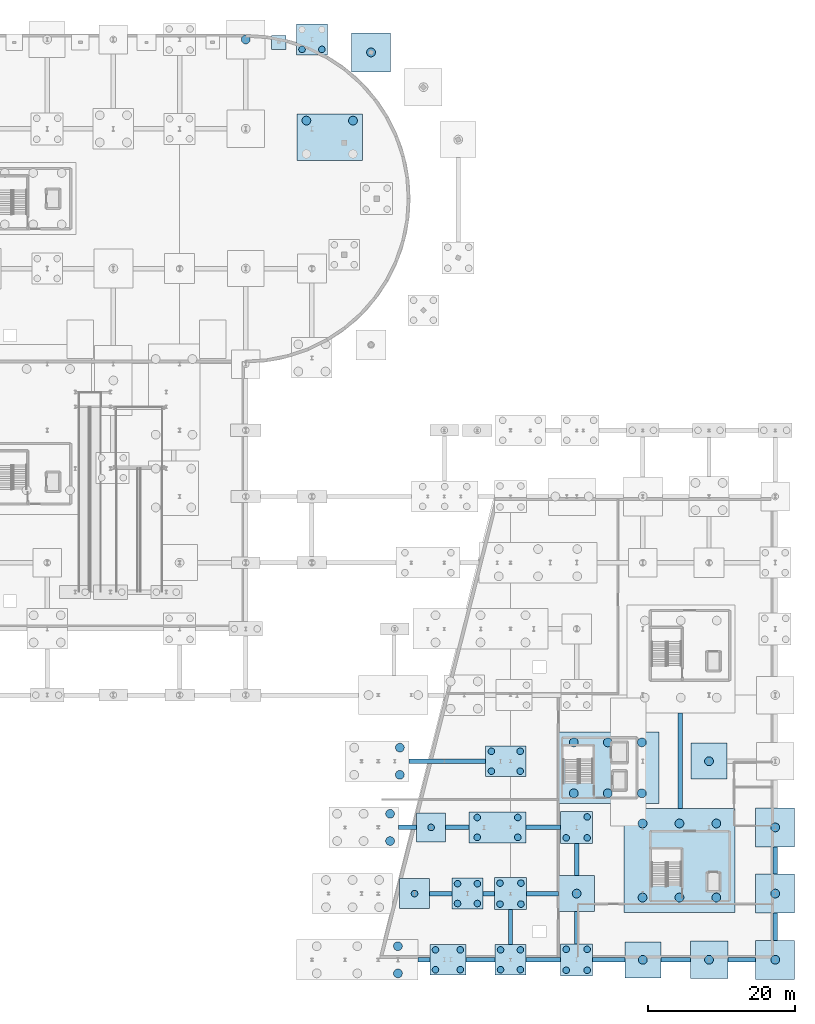
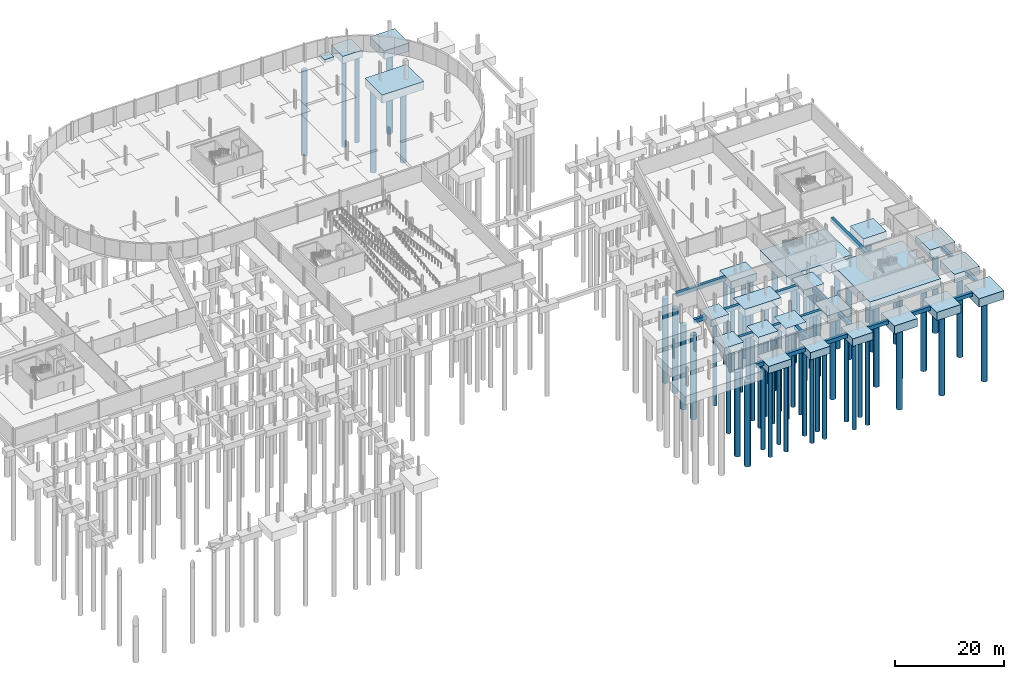
# One storey, part 7 of 42: 64 piles, 42 footings.
"""IFC4 building model written with IfcOpenShell, lengths in metres."""

from ifc_helpers import new_model, si_unit, direction, frame, origin, origin_2d, place, context, subcontext, project, spatial, rectangle, circle, extrude, material, material_profile, profile_set, type_object, element, save


model = new_model("IFC4")

# Units and contexts
model_context = context("Model", 3, precision=1e-05, world=origin(), true_north=direction((0.0, 1.0)))
body_context = subcontext(model_context, "Body", "Model", "MODEL_VIEW")
ifc_project = project(units=[si_unit("LENGTHUNIT", "METRE"), si_unit("AREAUNIT", "SQUARE_METRE"), si_unit("VOLUMEUNIT", "CUBIC_METRE"), si_unit("PLANEANGLEUNIT", "RADIAN"), si_unit("MASSUNIT", "GRAM", prefix="KILO")], contexts=[model_context])

# Site, building, storey
site_placement = place(None, origin())
site = spatial("IfcSite", under=ifc_project, at=site_placement, CompositionType="ELEMENT")
building_placement = place(site_placement, origin())
building = spatial("IfcBuilding", under=site, at=building_placement, Name="Deido Ridge Mobility Hub", CompositionType="ELEMENT")
storey_placement = place(building_placement, frame((0.0, 0.0, -4.199951171875)))
storey = spatial("IfcBuildingStorey", under=building, at=storey_placement, Name="B1", CompositionType="ELEMENT", Elevation=-4.199951171875)

# Footings
ifc_material = material(Name="Concrete C40/50", Category="concrete")
footing_type_1 = type_object("IfcFootingType", Name="FTG-PC-3900X3900X1550", PredefinedType="PILE_CAP", material=ifc_material)
footing_1_placement = place(storey_placement, frame((133.199951171875, 18.0, -1.55029296875), z_axis=(0.0, 0.0, 1.0), x_axis=(1.0, 0.0, 0.0)))
element("IfcFooting", 1, at=footing_1_placement, inside=storey, type_object=footing_type_1, Name="Pile cap PC12", PredefinedType="PILE_CAP", context=body_context, shape_type="SweptSolid", body=[
    extrude(rectangle(XDim=3.89990234375, YDim=3.89990234375, at=origin_2d()), origin(), (0.0, 0.0, 1.0), 1.550048828125),
])
footing_type_2 = type_object("IfcFootingType", Name="FTG-PC-4050X4050X1600", PredefinedType="PILE_CAP", material=ifc_material)
footing_2_placement = place(storey_placement, frame((130.949951171875, 9.0, -1.60009765625), z_axis=(0.0, 0.0, 1.0), x_axis=(1.0, 0.0, 0.0)))
element("IfcFooting", 2, at=footing_2_placement, inside=storey, type_object=footing_type_2, Name="Pile cap PC13", PredefinedType="PILE_CAP", context=body_context, shape_type="SweptSolid", body=[
    extrude(rectangle(XDim=4.050048828125, YDim=4.050048828125, at=origin_2d()), origin(), (0.0, 0.0, 1.0), 1.60009765625),
])
footing_type_3 = type_object("IfcFootingType", Name="FTG-PC-4200X4200X1650", PredefinedType="PILE_CAP", material=ifc_material)
for number, where, z_axis, x_axis, name in (
    (3, (117.0, 125.14990234375, -1.64990234375), (0.0, 0.0, 1.0), (1.0, 0.0, 0.0), "Pile cap PC14"),
    (4, (144.0, 0.0, -1.64990234375), (0.0, 0.0, 1.0), (1.0, 0.0, 0.0), "Pile cap PC14"),
    (5, (138.14990234375, 9.0, -1.64990234375), (0.0, 0.0, 1.0), (1.0, 0.0, 0.0), "Pile cap PC14"),
):
    element("IfcFooting", number, at=place(storey_placement, frame(where, z_axis=z_axis, x_axis=x_axis)), inside=storey, type_object=footing_type_3, Name=name, PredefinedType="PILE_CAP", context=body_context, shape_type="SweptSolid", body=[
        extrude(rectangle(XDim=4.199951171875, YDim=4.199951171875, at=origin_2d()), origin(), (0.0, 0.0, 1.0), 1.64990234375),
    ])
footing_type_4 = type_object("IfcFootingType", Name="FTG-PC-4350X4350X1700", PredefinedType="PILE_CAP", material=ifc_material)
for number, where, z_axis, x_axis, name in (
    (6, (153.0, 0.0, -1.7001953125), (0.0, 0.0, 1.0), (1.0, 0.0, 0.0), "Pile cap PC15"),
    (7, (144.0, 9.0, -1.7001953125), (0.0, 0.0, 1.0), (1.0, 0.0, 0.0), "Pile cap PC15"),
    (8, (153.0, 18.0, -1.7001953125), (0.0, 0.0, 1.0), (1.0, 0.0, 0.0), "Pile cap PC15"),
):
    element("IfcFooting", number, at=place(storey_placement, frame(where, z_axis=z_axis, x_axis=x_axis)), inside=storey, type_object=footing_type_4, Name=name, PredefinedType="PILE_CAP", context=body_context, shape_type="SweptSolid", body=[
        extrude(rectangle(XDim=4.35009765625, YDim=4.35009765625, at=origin_2d()), origin(), (0.0, 0.0, 1.0), 1.699951171875),
    ])
footing_type_5 = type_object("IfcFootingType", Name="FTG-PC-4875X4200X1600", PredefinedType="PILE_CAP", material=ifc_material)
footing_3_placement = place(storey_placement, frame((135.487548828125, 0.0, -1.60009765625), z_axis=(0.0, 0.0, 1.0), x_axis=(1.0, 0.0, 0.0)))
element("IfcFooting", 9, at=footing_3_placement, inside=storey, type_object=footing_type_5, Name="Pile cap PC28", PredefinedType="PILE_CAP", context=body_context, shape_type="SweptSolid", body=[
    extrude(rectangle(XDim=4.875, YDim=4.199951171875, at=origin_2d()), origin(), (0.0, 0.0, 1.0), 1.60009765625),
])
footing_type_6 = type_object("IfcFootingType", Name="FTG-PC-4900X4900X1800", PredefinedType="PILE_CAP", material=ifc_material)
for number, where, z_axis, x_axis, name in (
    (10, (162.0, 0.0, -1.80029296875), (0.0, 0.0, 1.0), (1.0, 0.0, 0.0), "Pile cap PC17"),
    (11, (153.0, 9.0, -1.80029296875), (0.0, 0.0, 1.0), (1.0, 0.0, 0.0), "Pile cap PC17"),
    (12, (171.0, 27.0, -1.80029296875), (0.0, 0.0, 1.0), (1.0, 0.0, 0.0), "Pile cap PC17"),
):
    element("IfcFooting", number, at=place(storey_placement, frame(where, z_axis=z_axis, x_axis=x_axis)), inside=storey, type_object=footing_type_6, Name=name, PredefinedType="PILE_CAP", context=body_context, shape_type="SweptSolid", body=[
        extrude(rectangle(XDim=4.89990234375, YDim=4.89990234375, at=origin_2d()), origin(), (0.0, 0.0, 1.0), 1.800048828125),
    ])
footing_type_7 = type_object("IfcFootingType", Name="FTG-PC-5100X5100X1850", PredefinedType="PILE_CAP", material=ifc_material)
footing_4_placement = place(storey_placement, frame((171.0, 0.0, -1.85009765625), z_axis=(0.0, 0.0, 1.0), x_axis=(1.0, 0.0, 0.0)))
element("IfcFooting", 13, at=footing_4_placement, inside=storey, type_object=footing_type_7, Name="Pile cap PC22", PredefinedType="PILE_CAP", context=body_context, shape_type="SweptSolid", body=[
    extrude(rectangle(XDim=5.10009765625, YDim=5.10009765625, at=origin_2d()), origin(), (0.0, 0.0, 1.0), 1.85009765625),
])
footing_type_8 = type_object("IfcFootingType", Name="FTG-PC-5300X5300X1900", PredefinedType="PILE_CAP", material=ifc_material)
for number, where, z_axis, x_axis, name in (
    (14, (125.035400390625, 123.38818359375, -1.89990234375), (0.0, 0.0, 1.0), (1.0, 0.0, 0.0), "Pile cap PC25"),
    (15, (180.0, 0.0, -1.89990234375), (0.0, 0.0, 1.0), (1.0, 0.0, 0.0), "Pile cap PC25"),
    (16, (180.0, 9.0, -1.89990234375), (0.0, 0.0, 1.0), (1.0, 0.0, 0.0), "Pile cap PC25"),
    (17, (180.0, 18.0, -1.89990234375), (0.0, 0.0, 1.0), (1.0, 0.0, 0.0), "Pile cap PC25"),
):
    element("IfcFooting", number, at=place(storey_placement, frame(where, z_axis=z_axis, x_axis=x_axis)), inside=storey, type_object=footing_type_8, Name=name, PredefinedType="PILE_CAP", context=body_context, shape_type="SweptSolid", body=[
        extrude(rectangle(XDim=5.300048828125, YDim=5.300048828125, at=origin_2d()), origin(), (0.0, 0.0, 1.0), 1.89990234375),
    ])
footing_type_9 = type_object("IfcFootingType", Name="FTG-PC-5475X4200X1650", PredefinedType="PILE_CAP", material=ifc_material)
footing_5_placement = place(storey_placement, frame((143.362548828125, 27.0, -1.64990234375), z_axis=(0.0, 0.0, 1.0), x_axis=(1.0, 0.0, 0.0)))
element("IfcFooting", 18, at=footing_5_placement, inside=storey, type_object=footing_type_9, Name="Pile cap PC33", PredefinedType="PILE_CAP", context=body_context, shape_type="SweptSolid", body=[
    extrude(rectangle(XDim=5.47509765625, YDim=4.199951171875, at=origin_2d()), origin(), (0.0, 0.0, 1.0), 1.64990234375),
])
footing_type_10 = type_object("IfcFootingType", Name="FTG-PC-7725X4200X1650", PredefinedType="PILE_CAP", material=ifc_material)
footing_6_placement = place(storey_placement, frame((142.237548828125, 18.0, -1.64990234375), z_axis=(0.0, 0.0, 1.0), x_axis=(1.0, 0.0, 0.0)))
element("IfcFooting", 19, at=footing_6_placement, inside=storey, type_object=footing_type_10, Name="Pile cap PC31", PredefinedType="PILE_CAP", context=body_context, shape_type="SweptSolid", body=[
    extrude(rectangle(XDim=7.72509765625, YDim=4.199951171875, at=origin_2d()), origin(), (0.0, 0.0, 1.0), 1.64990234375),
])
footing_type_11 = type_object("IfcFootingType", Name="FTG-PC-8875X6354X1800", PredefinedType="PILE_CAP", material=ifc_material)
footing_7_placement = place(storey_placement, frame((119.41259765625, 111.847900390625, -1.80029296875), z_axis=(0.0, 0.0, 1.0), x_axis=(1.0, 0.0, 0.0)))
element("IfcFooting", 20, at=footing_7_placement, inside=storey, type_object=footing_type_11, Name="Pile cap PC26", PredefinedType="PILE_CAP", context=body_context, shape_type="SweptSolid", body=[
    extrude(rectangle(XDim=8.875, YDim=6.35400390625, at=origin_2d()), origin(), (0.0, 0.0, 1.0), 1.800048828125),
])
footing_type_12 = type_object("IfcFootingType", Name="FTG-PC-C1", PredefinedType="PILE_CAP", material=ifc_material)
footing_8_placement = place(storey_placement, frame((166.97509765625, 13.5, -1.89990234375), z_axis=(0.0, 0.0, 1.0), x_axis=(1.0, 0.0, 0.0)))
element("IfcFooting", 21, at=footing_8_placement, inside=storey, type_object=footing_type_12, Name="Pile cap PC-C1", PredefinedType="PILE_CAP", context=body_context, shape_type="SweptSolid", body=[
    extrude(rectangle(XDim=15.050048828125, YDim=14.10009765625, at=origin_2d()), origin(), (0.0, 0.0, 1.0), 1.89990234375),
])
footing_type_13 = type_object("IfcFootingType", Name="FTG-PC-C3", PredefinedType="PILE_CAP", material=ifc_material)
footing_9_placement = place(storey_placement, frame((157.237548828125, 26.10009765625, -2.0), z_axis=(0.0, 0.0, 1.0), x_axis=(1.0, 0.0, 0.0)))
element("IfcFooting", 22, at=footing_9_placement, inside=storey, type_object=footing_type_13, Name="Pile cap PC-C3", PredefinedType="PILE_CAP", context=body_context, shape_type="SweptSolid", body=[
    extrude(rectangle(XDim=13.875, YDim=9.699951171875, at=origin_2d()), origin(), (0.0, 0.0, 1.0), 2.0),
])
footing_type_14 = type_object("IfcFootingType", Name="FTG-PF-1950X1950X750", PredefinedType="PAD_FOOTING", material=ifc_material)
footing_10_placement = place(storey_placement, frame((112.5, 124.75, -0.75), z_axis=(0.0, 0.0, 1.0), x_axis=(1.0, 0.0, 0.0)))
element("IfcFooting", 23, at=footing_10_placement, inside=storey, type_object=footing_type_14, Name="Pad footing PF43", PredefinedType="PAD_FOOTING", context=body_context, shape_type="SweptSolid", body=[
    extrude(rectangle(XDim=1.949951171875, YDim=1.949951171875, at=origin_2d()), origin(), (0.0, 0.0, 1.0), 0.75),
])
ifc_material_profile_1 = material_profile(ifc_material, rectangle(XDim=0.60009765625, YDim=0.85009765625, at=origin_2d()), Name="RC GB 600x850")
ifc_profile_set_1 = profile_set([ifc_material_profile_1], Name="Concrete C40/50")
footing_type_15 = type_object("IfcFootingType", Name="GB-RC600X850", PredefinedType="FOOTING_BEAM", material=ifc_profile_set_1)
footing_11_placement = place(storey_placement, frame((131.449951171875, 0.0, -0.425048828125), z_axis=(1.0, 0.0, 0.0), x_axis=(0.0, 1.0, 0.0)))
element("IfcFooting", 24, at=footing_11_placement, inside=storey, type_object=footing_type_15, Name="Ground beam GB1", PredefinedType="FOOTING_BEAM", context=body_context, shape_type="SweptSolid", body=[
    extrude(rectangle(XDim=0.60009765625, YDim=0.85009765625, at=origin_2d()), origin(), (0.0, 0.0, 1.0), 1.60009765625),
])
footing_12_placement = place(storey_placement, frame((137.925048828125, 0.0, -0.425048828125), z_axis=(1.0, 0.0, 0.0), x_axis=(0.0, 1.0, 0.0)))
element("IfcFooting", 25, at=footing_12_placement, inside=storey, type_object=footing_type_15, Name="Ground beam GB1", PredefinedType="FOOTING_BEAM", context=body_context, shape_type="SweptSolid", body=[
    extrude(rectangle(XDim=0.60009765625, YDim=0.85009765625, at=origin_2d()), origin(), (0.0, 0.0, 1.0), 3.974853515625),
])
footing_13_placement = place(storey_placement, frame((146.10009765625, 0.0, -0.425048828125), z_axis=(1.0, 0.0, 0.0), x_axis=(0.0, 1.0, 0.0)))
element("IfcFooting", 26, at=footing_13_placement, inside=storey, type_object=footing_type_15, Name="Ground beam GB1", PredefinedType="FOOTING_BEAM", context=body_context, shape_type="SweptSolid", body=[
    extrude(rectangle(XDim=0.60009765625, YDim=0.85009765625, at=origin_2d()), origin(), (0.0, 0.0, 1.0), 4.724853515625),
])
footing_14_placement = place(storey_placement, frame((155.175048828125, 0.0, -0.425048828125), z_axis=(1.0, 0.0, 0.0), x_axis=(0.0, 1.0, 0.0)))
element("IfcFooting", 27, at=footing_14_placement, inside=storey, type_object=footing_type_15, Name="Ground beam GB1", PredefinedType="FOOTING_BEAM", context=body_context, shape_type="SweptSolid", body=[
    extrude(rectangle(XDim=0.60009765625, YDim=0.85009765625, at=origin_2d()), origin(), (0.0, 0.0, 1.0), 4.375),
])
footing_15_placement = place(storey_placement, frame((164.449951171875, 0.0, -0.425048828125), z_axis=(1.0, 0.0, 0.0), x_axis=(0.0, 1.0, 0.0)))
element("IfcFooting", 28, at=footing_15_placement, inside=storey, type_object=footing_type_15, Name="Ground beam GB1", PredefinedType="FOOTING_BEAM", context=body_context, shape_type="SweptSolid", body=[
    extrude(rectangle(XDim=0.60009765625, YDim=0.85009765625, at=origin_2d()), origin(), (0.0, 0.0, 1.0), 4.0),
])
footing_16_placement = place(storey_placement, frame((173.550048828125, 0.0, -0.425048828125), z_axis=(1.0, 0.0, 0.0), x_axis=(0.0, 1.0, 0.0)))
element("IfcFooting", 29, at=footing_16_placement, inside=storey, type_object=footing_type_15, Name="Ground beam GB1", PredefinedType="FOOTING_BEAM", context=body_context, shape_type="SweptSolid", body=[
    extrude(rectangle(XDim=0.60009765625, YDim=0.85009765625, at=origin_2d()), origin(), (0.0, 0.0, 1.0), 3.800048828125),
])
footing_17_placement = place(storey_placement, frame((128.75, 18.0, -0.425048828125), z_axis=(1.0, 0.0, 0.0), x_axis=(0.0, 1.0, 0.0)))
element("IfcFooting", 30, at=footing_17_placement, inside=storey, type_object=footing_type_15, Name="Ground beam GB1", PredefinedType="FOOTING_BEAM", context=body_context, shape_type="SweptSolid", body=[
    extrude(rectangle(XDim=0.60009765625, YDim=0.85009765625, at=origin_2d()), origin(), (0.0, 0.0, 1.0), 2.5),
])
footing_18_placement = place(storey_placement, frame((135.14990234375, 18.0, -0.425048828125), z_axis=(1.0, 0.0, 0.0), x_axis=(0.0, 1.0, 0.0)))
element("IfcFooting", 31, at=footing_18_placement, inside=storey, type_object=footing_type_15, Name="Ground beam GB1", PredefinedType="FOOTING_BEAM", context=body_context, shape_type="SweptSolid", body=[
    extrude(rectangle(XDim=0.60009765625, YDim=0.85009765625, at=origin_2d()), origin(), (0.0, 0.0, 1.0), 3.22509765625),
])
footing_19_placement = place(storey_placement, frame((146.10009765625, 18.0, -0.425048828125), z_axis=(1.0, 0.0, 0.0), x_axis=(0.0, 1.0, 0.0)))
element("IfcFooting", 32, at=footing_19_placement, inside=storey, type_object=footing_type_15, Name="Ground beam GB1", PredefinedType="FOOTING_BEAM", context=body_context, shape_type="SweptSolid", body=[
    extrude(rectangle(XDim=0.60009765625, YDim=0.85009765625, at=origin_2d()), origin(), (0.0, 0.0, 1.0), 4.724853515625),
])
footing_20_placement = place(storey_placement, frame((130.199951171875, 27.0, -0.425048828125), z_axis=(1.0, 0.0, 0.0), x_axis=(0.0, 1.0, 0.0)))
element("IfcFooting", 33, at=footing_20_placement, inside=storey, type_object=footing_type_15, Name="Ground beam GB1", PredefinedType="FOOTING_BEAM", context=body_context, shape_type="SweptSolid", body=[
    extrude(rectangle(XDim=0.60009765625, YDim=0.85009765625, at=origin_2d()), origin(), (0.0, 0.0, 1.0), 10.425048828125),
])
footing_21_placement = place(storey_placement, frame((132.97509765625, 9.0, -0.425048828125), z_axis=(1.0, 0.0, 0.0), x_axis=(0.0, 1.0, 0.0)))
element("IfcFooting", 34, at=footing_21_placement, inside=storey, type_object=footing_type_15, Name="Ground beam GB1", PredefinedType="FOOTING_BEAM", context=body_context, shape_type="SweptSolid", body=[
    extrude(rectangle(XDim=0.60009765625, YDim=0.85009765625, at=origin_2d()), origin(), (0.0, 0.0, 1.0), 3.074951171875),
])
footing_22_placement = place(storey_placement, frame((140.25, 9.0, -0.425048828125), z_axis=(1.0, 0.0, 0.0), x_axis=(0.0, 1.0, 0.0)))
element("IfcFooting", 35, at=footing_22_placement, inside=storey, type_object=footing_type_15, Name="Ground beam GB1", PredefinedType="FOOTING_BEAM", context=body_context, shape_type="SweptSolid", body=[
    extrude(rectangle(XDim=0.60009765625, YDim=0.85009765625, at=origin_2d()), origin(), (0.0, 0.0, 1.0), 1.574951171875),
])
footing_23_placement = place(storey_placement, frame((146.175048828125, 9.0, -0.425048828125), z_axis=(1.0, 0.0, 0.0), x_axis=(0.0, 1.0, 0.0)))
element("IfcFooting", 36, at=footing_23_placement, inside=storey, type_object=footing_type_15, Name="Ground beam GB1", PredefinedType="FOOTING_BEAM", context=body_context, shape_type="SweptSolid", body=[
    extrude(rectangle(XDim=0.60009765625, YDim=0.85009765625, at=origin_2d()), origin(), (0.0, 0.0, 1.0), 4.375),
])
footing_24_placement = place(storey_placement, frame((167.068603515625, 20.550048828125, -0.425048828125), z_axis=(0.0, 1.0, 0.0), x_axis=(-1.0, 0.0, 0.0)))
element("IfcFooting", 37, at=footing_24_placement, inside=storey, type_object=footing_type_15, Name="Ground beam GB1", PredefinedType="FOOTING_BEAM", context=body_context, shape_type="SweptSolid", body=[
    extrude(rectangle(XDim=0.60009765625, YDim=0.85009765625, at=origin_2d()), origin(), (0.0, 0.0, 1.0), 13.0),
])
footing_25_placement = place(storey_placement, frame((144.0, 2.10009765625, -0.425048828125), z_axis=(0.0, 1.0, 0.0), x_axis=(-1.0, 0.0, 0.0)))
element("IfcFooting", 38, at=footing_25_placement, inside=storey, type_object=footing_type_15, Name="Ground beam GB1", PredefinedType="FOOTING_BEAM", context=body_context, shape_type="SweptSolid", body=[
    extrude(rectangle(XDim=0.60009765625, YDim=0.85009765625, at=origin_2d()), origin(), (0.0, 0.0, 1.0), 4.724853515625),
])
for number, where, z_axis, x_axis, name in (
    (39, (153.0, 2.175048828125, -0.425048828125), (0.0, 1.0, 0.0), (-1.0, 0.0, 0.0), "Ground beam GB1"),
    (40, (153.0, 11.449951171875, -0.425048828125), (0.0, 1.0, 0.0), (-1.0, 0.0, 0.0), "Ground beam GB1"),
):
    element("IfcFooting", number, at=place(storey_placement, frame(where, z_axis=z_axis, x_axis=x_axis)), inside=storey, type_object=footing_type_15, Name=name, PredefinedType="FOOTING_BEAM", context=body_context, shape_type="SweptSolid", body=[
        extrude(rectangle(XDim=0.60009765625, YDim=0.85009765625, at=origin_2d()), origin(), (0.0, 0.0, 1.0), 4.375),
    ])
for number, where, z_axis, x_axis, name in (
    (41, (180.0, 2.64990234375, -0.425048828125), (0.0, 1.0, 0.0), (-1.0, 0.0, 0.0), "Ground beam GB1"),
    (42, (180.0, 11.64990234375, -0.425048828125), (0.0, 1.0, 0.0), (-1.0, 0.0, 0.0), "Ground beam GB1"),
):
    element("IfcFooting", number, at=place(storey_placement, frame(where, z_axis=z_axis, x_axis=x_axis)), inside=storey, type_object=footing_type_15, Name=name, PredefinedType="FOOTING_BEAM", context=body_context, shape_type="SweptSolid", body=[
        extrude(rectangle(XDim=0.60009765625, YDim=0.85009765625, at=origin_2d()), origin(), (0.0, 0.0, 1.0), 3.7001953125),
    ])

# Piles
ifc_material_profile_2 = material_profile(ifc_material, circle(Radius=0.60009765625, at=origin_2d()), Name="BORED PILE D1200")
ifc_profile_set_2 = profile_set([ifc_material_profile_2], Name="Concrete C40/50")
pile_type_1 = type_object("IfcPileType", Name="PILE-BORED-D1200", PredefinedType="BORED", material=ifc_profile_set_2)
for number, where, z_axis, x_axis, name in (
    (43, (161.958251953125, 8.46435546875, -1.75), (0.0, 0.0, -1.0), (1.0, 0.0, 0.0), "Bored pile P2"),
    (44, (166.97509765625, 8.46435546875, -1.75), (0.0, 0.0, -1.0), (1.0, 0.0, 0.0), "Bored pile P2"),
    (45, (171.99169921875, 8.46435546875, -1.75), (0.0, 0.0, -1.0), (1.0, 0.0, 0.0), "Bored pile P2"),
    (46, (161.958251953125, 18.53564453125, -1.75), (0.0, 0.0, -1.0), (1.0, 0.0, 0.0), "Bored pile P2"),
    (47, (166.97509765625, 18.53564453125, -1.75), (0.0, 0.0, -1.0), (1.0, 0.0, 0.0), "Bored pile P2"),
    (48, (171.99169921875, 18.53564453125, -1.75), (0.0, 0.0, -1.0), (1.0, 0.0, 0.0), "Bored pile P2"),
):
    element("IfcPile", number, at=place(storey_placement, frame(where, z_axis=z_axis, x_axis=x_axis)), inside=storey, type_object=pile_type_1, Name=name, PredefinedType="BORED", context=body_context, shape_type="SweptSolid", body=[
        extrude(circle(Radius=0.60009765625, at=origin_2d()), origin(), (0.0, 0.0, 1.0), 19.050048828125),
    ])
for number, where, z_axis, x_axis, name in (
    (49, (152.612548828125, 22.6357421875, -1.85009765625), (0.0, 0.0, -1.0), (1.0, 0.0, 0.0), "Bored pile P2"),
    (50, (157.237548828125, 22.6357421875, -1.85009765625), (0.0, 0.0, -1.0), (1.0, 0.0, 0.0), "Bored pile P2"),
    (51, (161.862548828125, 22.6357421875, -1.85009765625), (0.0, 0.0, -1.0), (1.0, 0.0, 0.0), "Bored pile P2"),
    (52, (152.612548828125, 29.564208984375, -1.85009765625), (0.0, 0.0, -1.0), (1.0, 0.0, 0.0), "Bored pile P2"),
    (53, (157.237548828125, 29.564208984375, -1.85009765625), (0.0, 0.0, -1.0), (1.0, 0.0, 0.0), "Bored pile P2"),
    (54, (161.862548828125, 29.564208984375, -1.85009765625), (0.0, 0.0, -1.0), (1.0, 0.0, 0.0), "Bored pile P2"),
):
    element("IfcPile", number, at=place(storey_placement, frame(where, z_axis=z_axis, x_axis=x_axis)), inside=storey, type_object=pile_type_1, Name=name, PredefinedType="BORED", context=body_context, shape_type="SweptSolid", body=[
        extrude(circle(Radius=0.60009765625, at=origin_2d()), origin(), (0.0, 0.0, 1.0), 18.949951171875),
    ])
pile_1_placement = place(storey_placement, frame((108.0, 125.14990234375, -1.75), z_axis=(0.0, 0.0, -1.0), x_axis=(1.0, 0.0, 0.0)))
element("IfcPile", 55, at=pile_1_placement, inside=storey, type_object=pile_type_1, Name="Bored pile P2", PredefinedType="BORED", context=body_context, shape_type="SweptSolid", body=[
    extrude(circle(Radius=0.60009765625, at=origin_2d()), origin(), (0.0, 0.0, 1.0), 19.050048828125),
])
for number, where, z_axis, x_axis, name in (
    (56, (116.242919921875, 114.1171875, -1.650146484375), (0.0, 0.0, -1.0), (1.0, 0.0, 0.0), "Bored pile P2"),
    (57, (122.58203125, 114.1171875, -1.650146484375), (0.0, 0.0, -1.0), (1.0, 0.0, 0.0), "Bored pile P2"),
):
    element("IfcPile", number, at=place(storey_placement, frame(where, z_axis=z_axis, x_axis=x_axis)), inside=storey, type_object=pile_type_1, Name=name, PredefinedType="BORED", context=body_context, shape_type="SweptSolid", body=[
        extrude(circle(Radius=0.60009765625, at=origin_2d()), origin(), (0.0, 0.0, 1.0), 19.14990234375),
    ])
pile_2_placement = place(storey_placement, frame((125.035400390625, 123.38818359375, -1.75), z_axis=(0.0, 0.0, -1.0), x_axis=(1.0, 0.0, 0.0)))
element("IfcPile", 58, at=pile_2_placement, inside=storey, type_object=pile_type_1, Name="Bored pile P2", PredefinedType="BORED", context=body_context, shape_type="SweptSolid", body=[
    extrude(circle(Radius=0.60009765625, at=origin_2d()), origin(), (0.0, 0.0, 1.0), 19.050048828125),
])
for number, where, z_axis, x_axis, name in (
    (59, (128.691650390625, -1.85009765625, -1.800048828125), (0.0, 0.0, -1.0), (1.0, 0.0, 0.0), "Bored pile P2"),
    (60, (128.691650390625, 1.85009765625, -1.800048828125), (0.0, 0.0, -1.0), (1.0, 0.0, 0.0), "Bored pile P2"),
):
    element("IfcPile", number, at=place(storey_placement, frame(where, z_axis=z_axis, x_axis=x_axis)), inside=storey, type_object=pile_type_1, Name=name, PredefinedType="BORED", context=body_context, shape_type="SweptSolid", body=[
        extrude(circle(Radius=0.60009765625, at=origin_2d()), origin(), (0.0, 0.0, 1.0), 19.0),
    ])
pile_3_placement = place(storey_placement, frame((162.0, 0.0, -1.650146484375), z_axis=(0.0, 0.0, -1.0), x_axis=(1.0, 0.0, 0.0)))
element("IfcPile", 61, at=pile_3_placement, inside=storey, type_object=pile_type_1, Name="Bored pile P2", PredefinedType="BORED", context=body_context, shape_type="SweptSolid", body=[
    extrude(circle(Radius=0.60009765625, at=origin_2d()), origin(), (0.0, 0.0, 1.0), 19.14990234375),
])
pile_4_placement = place(storey_placement, frame((171.0, 0.0, -1.699951171875), z_axis=(0.0, 0.0, -1.0), x_axis=(1.0, 0.0, 0.0)))
element("IfcPile", 62, at=pile_4_placement, inside=storey, type_object=pile_type_1, Name="Bored pile P2", PredefinedType="BORED", context=body_context, shape_type="SweptSolid", body=[
    extrude(circle(Radius=0.60009765625, at=origin_2d()), origin(), (0.0, 0.0, 1.0), 19.10009765625),
])
pile_5_placement = place(storey_placement, frame((180.0, 0.0, -1.75), z_axis=(0.0, 0.0, -1.0), x_axis=(1.0, 0.0, 0.0)))
element("IfcPile", 63, at=pile_5_placement, inside=storey, type_object=pile_type_1, Name="Bored pile P2", PredefinedType="BORED", context=body_context, shape_type="SweptSolid", body=[
    extrude(circle(Radius=0.60009765625, at=origin_2d()), origin(), (0.0, 0.0, 1.0), 19.050048828125),
])
pile_6_placement = place(storey_placement, frame((153.0, 9.0, -1.650146484375), z_axis=(0.0, 0.0, -1.0), x_axis=(1.0, 0.0, 0.0)))
element("IfcPile", 64, at=pile_6_placement, inside=storey, type_object=pile_type_1, Name="Bored pile P2", PredefinedType="BORED", context=body_context, shape_type="SweptSolid", body=[
    extrude(circle(Radius=0.60009765625, at=origin_2d()), origin(), (0.0, 0.0, 1.0), 19.14990234375),
])
pile_7_placement = place(storey_placement, frame((180.0, 9.0, -1.75), z_axis=(0.0, 0.0, -1.0), x_axis=(1.0, 0.0, 0.0)))
element("IfcPile", 65, at=pile_7_placement, inside=storey, type_object=pile_type_1, Name="Bored pile P2", PredefinedType="BORED", context=body_context, shape_type="SweptSolid", body=[
    extrude(circle(Radius=0.60009765625, at=origin_2d()), origin(), (0.0, 0.0, 1.0), 19.050048828125),
])
for number, where, z_axis, x_axis, name in (
    (66, (127.625, 16.14990234375, -1.800048828125), (0.0, 0.0, -1.0), (1.0, 0.0, 0.0), "Bored pile P2"),
    (67, (127.625, 19.85009765625, -1.800048828125), (0.0, 0.0, -1.0), (1.0, 0.0, 0.0), "Bored pile P2"),
):
    element("IfcPile", number, at=place(storey_placement, frame(where, z_axis=z_axis, x_axis=x_axis)), inside=storey, type_object=pile_type_1, Name=name, PredefinedType="BORED", context=body_context, shape_type="SweptSolid", body=[
        extrude(circle(Radius=0.60009765625, at=origin_2d()), origin(), (0.0, 0.0, 1.0), 19.0),
    ])
pile_8_placement = place(storey_placement, frame((180.0, 18.0, -1.75), z_axis=(0.0, 0.0, -1.0), x_axis=(1.0, 0.0, 0.0)))
element("IfcPile", 68, at=pile_8_placement, inside=storey, type_object=pile_type_1, Name="Bored pile P2", PredefinedType="BORED", context=body_context, shape_type="SweptSolid", body=[
    extrude(circle(Radius=0.60009765625, at=origin_2d()), origin(), (0.0, 0.0, 1.0), 19.050048828125),
])
for number, where, z_axis, x_axis, name in (
    (69, (128.95703125, 25.14990234375, -1.800048828125), (0.0, 0.0, -1.0), (1.0, 0.0, 0.0), "Bored pile P2"),
    (70, (128.95703125, 28.85009765625, -1.800048828125), (0.0, 0.0, -1.0), (1.0, 0.0, 0.0), "Bored pile P2"),
):
    element("IfcPile", number, at=place(storey_placement, frame(where, z_axis=z_axis, x_axis=x_axis)), inside=storey, type_object=pile_type_1, Name=name, PredefinedType="BORED", context=body_context, shape_type="SweptSolid", body=[
        extrude(circle(Radius=0.60009765625, at=origin_2d()), origin(), (0.0, 0.0, 1.0), 19.0),
    ])
pile_9_placement = place(storey_placement, frame((171.0, 27.0, -1.650146484375), z_axis=(0.0, 0.0, -1.0), x_axis=(1.0, 0.0, 0.0)))
element("IfcPile", 71, at=pile_9_placement, inside=storey, type_object=pile_type_1, Name="Bored pile P2", PredefinedType="BORED", context=body_context, shape_type="SweptSolid", body=[
    extrude(circle(Radius=0.60009765625, at=origin_2d()), origin(), (0.0, 0.0, 1.0), 19.14990234375),
])
ifc_material_profile_3 = material_profile(ifc_material, circle(Radius=0.449951171875, at=origin_2d()), Name="BORED PILE D900")
ifc_profile_set_3 = profile_set([ifc_material_profile_3], Name="Concrete C40/50")
pile_type_2 = type_object("IfcPileType", Name="PILE-BORED-D900", PredefinedType="BORED", material=ifc_profile_set_3)
for number, where, z_axis, x_axis, name in (
    (72, (115.64990234375, 123.800048828125, -1.5), (0.0, 0.0, -1.0), (1.0, 0.0, 0.0), "Bored pile P1"),
    (73, (118.35009765625, 123.800048828125, -1.5), (0.0, 0.0, -1.0), (1.0, 0.0, 0.0), "Bored pile P1"),
):
    element("IfcPile", number, at=place(storey_placement, frame(where, z_axis=z_axis, x_axis=x_axis)), inside=storey, type_object=pile_type_2, Name=name, PredefinedType="BORED", context=body_context, shape_type="SweptSolid", body=[
        extrude(circle(Radius=0.449951171875, at=origin_2d()), origin(), (0.0, 0.0, 1.0), 19.300048828125),
    ])
for number, where, z_axis, x_axis, name in (
    (74, (133.800048828125, -1.35009765625, -1.449951171875), (0.0, 0.0, -1.0), (1.0, 0.0, 0.0), "Bored pile P1"),
    (75, (137.175048828125, -1.35009765625, -1.449951171875), (0.0, 0.0, -1.0), (1.0, 0.0, 0.0), "Bored pile P1"),
    (76, (133.800048828125, 1.35009765625, -1.449951171875), (0.0, 0.0, -1.0), (1.0, 0.0, 0.0), "Bored pile P1"),
    (77, (137.175048828125, 1.35009765625, -1.449951171875), (0.0, 0.0, -1.0), (1.0, 0.0, 0.0), "Bored pile P1"),
):
    element("IfcPile", number, at=place(storey_placement, frame(where, z_axis=z_axis, x_axis=x_axis)), inside=storey, type_object=pile_type_2, Name=name, PredefinedType="BORED", context=body_context, shape_type="SweptSolid", body=[
        extrude(circle(Radius=0.449951171875, at=origin_2d()), origin(), (0.0, 0.0, 1.0), 19.35009765625),
    ])
for number, where, z_axis, x_axis, name in (
    (78, (142.64990234375, -1.35009765625, -1.5), (0.0, 0.0, -1.0), (1.0, 0.0, 0.0), "Bored pile P1"),
    (79, (145.35009765625, -1.35009765625, -1.5), (0.0, 0.0, -1.0), (1.0, 0.0, 0.0), "Bored pile P1"),
    (80, (142.64990234375, 1.35009765625, -1.5), (0.0, 0.0, -1.0), (1.0, 0.0, 0.0), "Bored pile P1"),
    (81, (145.35009765625, 1.35009765625, -1.5), (0.0, 0.0, -1.0), (1.0, 0.0, 0.0), "Bored pile P1"),
):
    element("IfcPile", number, at=place(storey_placement, frame(where, z_axis=z_axis, x_axis=x_axis)), inside=storey, type_object=pile_type_2, Name=name, PredefinedType="BORED", context=body_context, shape_type="SweptSolid", body=[
        extrude(circle(Radius=0.449951171875, at=origin_2d()), origin(), (0.0, 0.0, 1.0), 19.300048828125),
    ])
for number, where, z_axis, x_axis, name in (
    (82, (151.574951171875, -1.425048828125, -1.550048828125), (0.0, 0.0, -1.0), (1.0, 0.0, 0.0), "Bored pile P1"),
    (83, (154.425048828125, -1.425048828125, -1.550048828125), (0.0, 0.0, -1.0), (1.0, 0.0, 0.0), "Bored pile P1"),
    (84, (151.574951171875, 1.425048828125, -1.550048828125), (0.0, 0.0, -1.0), (1.0, 0.0, 0.0), "Bored pile P1"),
    (85, (154.425048828125, 1.425048828125, -1.550048828125), (0.0, 0.0, -1.0), (1.0, 0.0, 0.0), "Bored pile P1"),
):
    element("IfcPile", number, at=place(storey_placement, frame(where, z_axis=z_axis, x_axis=x_axis)), inside=storey, type_object=pile_type_2, Name=name, PredefinedType="BORED", context=body_context, shape_type="SweptSolid", body=[
        extrude(circle(Radius=0.449951171875, at=origin_2d()), origin(), (0.0, 0.0, 1.0), 19.25),
    ])
pile_10_placement = place(storey_placement, frame((130.949951171875, 9.0, -1.449951171875), z_axis=(0.0, 0.0, -1.0), x_axis=(1.0, 0.0, 0.0)))
element("IfcPile", 86, at=pile_10_placement, inside=storey, type_object=pile_type_2, Name="Bored pile P1", PredefinedType="BORED", context=body_context, shape_type="SweptSolid", body=[
    extrude(circle(Radius=0.449951171875, at=origin_2d()), origin(), (0.0, 0.0, 1.0), 19.35009765625),
])
for number, where, z_axis, x_axis, name in (
    (87, (136.800048828125, 7.64990234375, -1.5), (0.0, 0.0, -1.0), (1.0, 0.0, 0.0), "Bored pile P1"),
    (88, (139.5, 7.64990234375, -1.5), (0.0, 0.0, -1.0), (1.0, 0.0, 0.0), "Bored pile P1"),
    (89, (136.800048828125, 10.35009765625, -1.5), (0.0, 0.0, -1.0), (1.0, 0.0, 0.0), "Bored pile P1"),
    (90, (139.5, 10.35009765625, -1.5), (0.0, 0.0, -1.0), (1.0, 0.0, 0.0), "Bored pile P1"),
):
    element("IfcPile", number, at=place(storey_placement, frame(where, z_axis=z_axis, x_axis=x_axis)), inside=storey, type_object=pile_type_2, Name=name, PredefinedType="BORED", context=body_context, shape_type="SweptSolid", body=[
        extrude(circle(Radius=0.449951171875, at=origin_2d()), origin(), (0.0, 0.0, 1.0), 19.300048828125),
    ])
for number, where, z_axis, x_axis, name in (
    (91, (142.574951171875, 7.574951171875, -1.550048828125), (0.0, 0.0, -1.0), (1.0, 0.0, 0.0), "Bored pile P1"),
    (92, (145.425048828125, 7.574951171875, -1.550048828125), (0.0, 0.0, -1.0), (1.0, 0.0, 0.0), "Bored pile P1"),
    (93, (142.574951171875, 10.425048828125, -1.550048828125), (0.0, 0.0, -1.0), (1.0, 0.0, 0.0), "Bored pile P1"),
    (94, (145.425048828125, 10.425048828125, -1.550048828125), (0.0, 0.0, -1.0), (1.0, 0.0, 0.0), "Bored pile P1"),
):
    element("IfcPile", number, at=place(storey_placement, frame(where, z_axis=z_axis, x_axis=x_axis)), inside=storey, type_object=pile_type_2, Name=name, PredefinedType="BORED", context=body_context, shape_type="SweptSolid", body=[
        extrude(circle(Radius=0.449951171875, at=origin_2d()), origin(), (0.0, 0.0, 1.0), 19.25),
    ])
pile_11_placement = place(storey_placement, frame((133.199951171875, 18.0, -1.400146484375), z_axis=(0.0, 0.0, -1.0), x_axis=(1.0, 0.0, 0.0)))
element("IfcPile", 95, at=pile_11_placement, inside=storey, type_object=pile_type_2, Name="Bored pile P1", PredefinedType="BORED", context=body_context, shape_type="SweptSolid", body=[
    extrude(circle(Radius=0.449951171875, at=origin_2d()), origin(), (0.0, 0.0, 1.0), 19.39990234375),
])
for number, where, z_axis, x_axis, name in (
    (96, (139.478515625, 16.64990234375, -1.5), (0.0, 0.0, -1.0), (1.0, 0.0, 0.0), "Bored pile P1"),
    (97, (144.996337890625, 16.64990234375, -1.5), (0.0, 0.0, -1.0), (1.0, 0.0, 0.0), "Bored pile P1"),
    (98, (139.478515625, 19.35009765625, -1.5), (0.0, 0.0, -1.0), (1.0, 0.0, 0.0), "Bored pile P1"),
    (99, (144.996337890625, 19.35009765625, -1.5), (0.0, 0.0, -1.0), (1.0, 0.0, 0.0), "Bored pile P1"),
):
    element("IfcPile", number, at=place(storey_placement, frame(where, z_axis=z_axis, x_axis=x_axis)), inside=storey, type_object=pile_type_2, Name=name, PredefinedType="BORED", context=body_context, shape_type="SweptSolid", body=[
        extrude(circle(Radius=0.449951171875, at=origin_2d()), origin(), (0.0, 0.0, 1.0), 19.300048828125),
    ])
for number, where, z_axis, x_axis, name in (
    (100, (151.574951171875, 16.574951171875, -1.550048828125), (0.0, 0.0, -1.0), (1.0, 0.0, 0.0), "Bored pile P1"),
    (101, (154.425048828125, 16.574951171875, -1.550048828125), (0.0, 0.0, -1.0), (1.0, 0.0, 0.0), "Bored pile P1"),
    (102, (154.425048828125, 19.425048828125, -1.550048828125), (0.0, 0.0, -1.0), (1.0, 0.0, 0.0), "Bored pile P1"),
):
    element("IfcPile", number, at=place(storey_placement, frame(where, z_axis=z_axis, x_axis=x_axis)), inside=storey, type_object=pile_type_2, Name=name, PredefinedType="BORED", context=body_context, shape_type="SweptSolid", body=[
        extrude(circle(Radius=0.449951171875, at=origin_2d()), origin(), (0.0, 0.0, 1.0), 19.25),
    ])
for number, where, z_axis, x_axis, name in (
    (103, (141.406982421875, 25.64990234375, -1.5), (0.0, 0.0, -1.0), (1.0, 0.0, 0.0), "Bored pile P1"),
    (104, (145.31787109375, 25.64990234375, -1.5), (0.0, 0.0, -1.0), (1.0, 0.0, 0.0), "Bored pile P1"),
    (105, (141.406982421875, 28.35009765625, -1.5), (0.0, 0.0, -1.0), (1.0, 0.0, 0.0), "Bored pile P1"),
    (106, (145.31787109375, 28.35009765625, -1.5), (0.0, 0.0, -1.0), (1.0, 0.0, 0.0), "Bored pile P1"),
):
    element("IfcPile", number, at=place(storey_placement, frame(where, z_axis=z_axis, x_axis=x_axis)), inside=storey, type_object=pile_type_2, Name=name, PredefinedType="BORED", context=body_context, shape_type="SweptSolid", body=[
        extrude(circle(Radius=0.449951171875, at=origin_2d()), origin(), (0.0, 0.0, 1.0), 19.300048828125),
    ])

save(model, "model.ifc")
